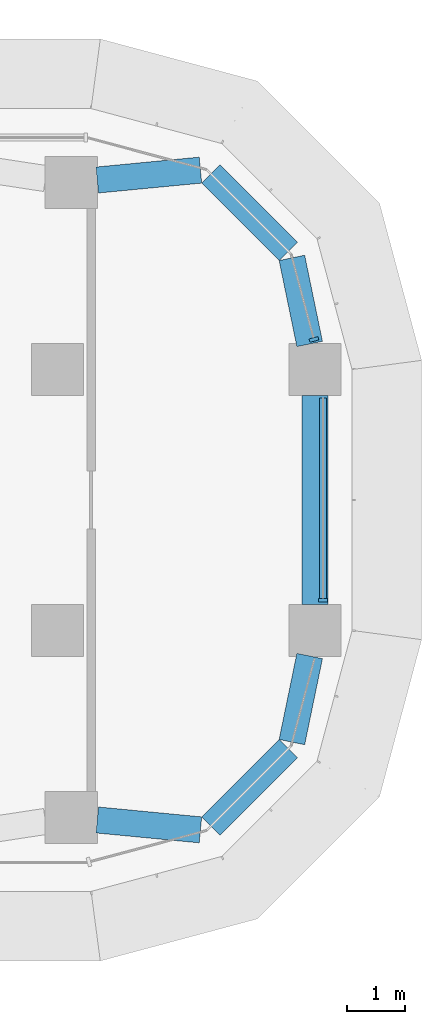
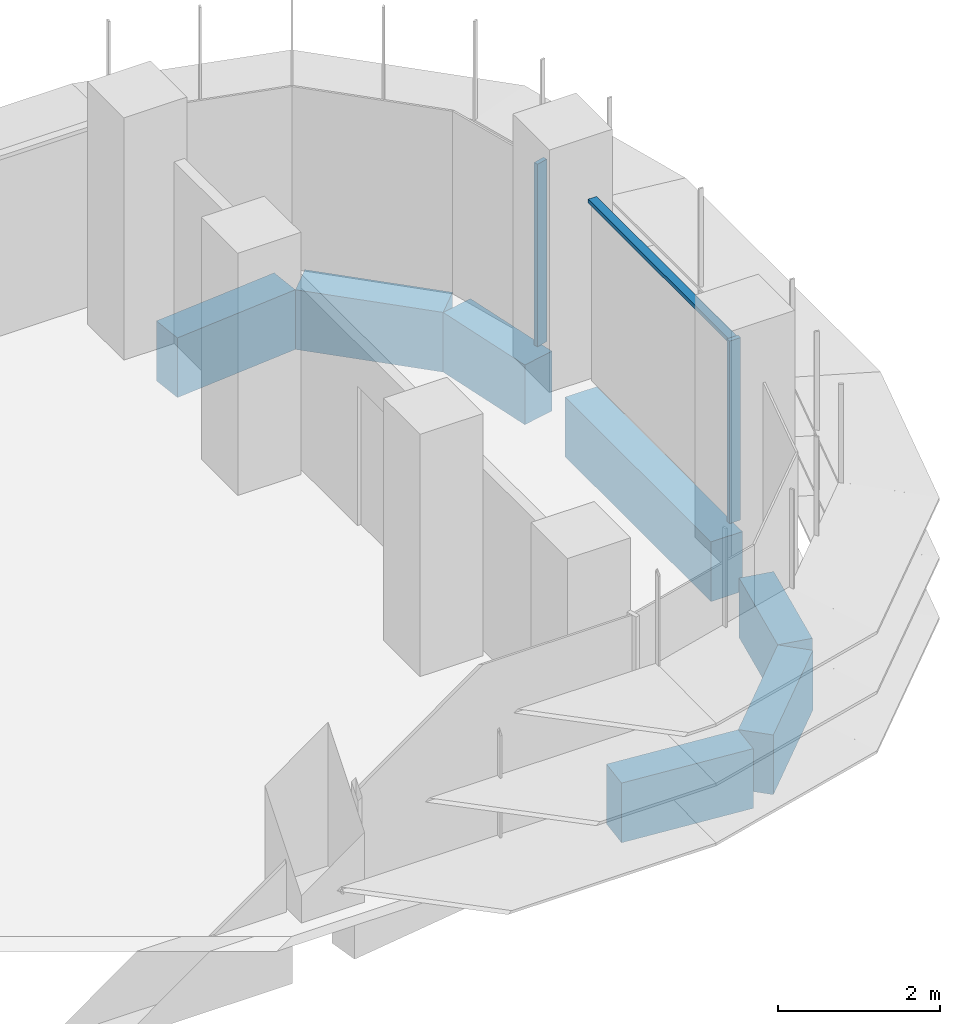
# One storey, part 10 of 22: 7 beams, 3 members, 2 elements without a shape of their own.
"""IFC4 building model written with IfcOpenShell, lengths in metres."""

from ifc_helpers import new_model, si_unit, direction, frame, origin, origin_2d, place, context, subcontext, project, spatial, polyline, rectangle, outline, extrude, source, transform, mapped, material, material_profile, profile_set, type_object, element, aggregate, save


model = new_model("IFC4")

# Units and contexts
model_context = context("Model", 3, precision=1e-05, world=origin(), true_north=direction((0.0, 1.0)))
body_context = subcontext(model_context, "Body", "Model", "MODEL_VIEW")
ifc_project = project(units=[si_unit("LENGTHUNIT", "METRE"), si_unit("AREAUNIT", "SQUARE_METRE"), si_unit("VOLUMEUNIT", "CUBIC_METRE"), si_unit("PLANEANGLEUNIT", "RADIAN"), si_unit("MASSUNIT", "GRAM", prefix="KILO")], contexts=[model_context])

# Site, building, storey
site_placement = place(None, origin())
site = spatial("IfcSite", under=ifc_project, at=site_placement, CompositionType="ELEMENT")
building_placement = place(site_placement, origin())
building = spatial("IfcBuilding", under=site, at=building_placement, Name="Zarbagh Exchange Tower", CompositionType="ELEMENT")
storey_placement = place(building_placement, frame((0.0, 0.0, 98.0)))
storey = spatial("IfcBuildingStorey", under=building, at=storey_placement, Name="L22", CompositionType="ELEMENT", Elevation=98.0)

# Beams
ifc_material_1 = material(Name="Concrete C60/75", Category="concrete")
ifc_material_profile = material_profile(ifc_material_1, rectangle(XDim=0.449951171875, YDim=0.89990234375, at=origin_2d()), Name="RC spandrel beam 450 x 900 C60/75")
ifc_profile_set = profile_set([ifc_material_profile], Name="Concrete C60/75")
beam_type = type_object("IfcBeamType", Name="RC spandrel beam 450 x 900 C60/75", PredefinedType="SPANDREL", material=ifc_profile_set)
beam_1_placement = place(storey_placement, frame((29.35595703125, 5.51806640625, -0.60009765625), z_axis=(0.995433267802, 0.095459988228, 0.0), x_axis=(-0.095459988228, 0.995433267802, 0.0)))
element("IfcBeam", 1, at=beam_1_placement, inside=storey, type_object=beam_type, Name="RC spandrel beam", PredefinedType="SPANDREL", context=body_context, shape_type="SweptSolid", body=[
    extrude(rectangle(XDim=0.449951171875, YDim=0.89990234375, at=origin_2d()), origin(), (0.0, 0.0, 1.0), 1.78759765625),
])
beam_2_placement = place(storey_placement, frame((31.316162109375, 5.623779296875, -0.60009765625), z_axis=(0.707106781187, -0.707106781187, 0.0), x_axis=(0.707106781187, 0.707106781187, 0.0)))
element("IfcBeam", 2, at=beam_2_placement, inside=storey, type_object=beam_type, Name="RC spandrel beam", PredefinedType="SPANDREL", context=body_context, shape_type="SweptSolid", body=[
    extrude(rectangle(XDim=0.449951171875, YDim=0.89990234375, at=origin_2d()), origin(), (0.0, 0.0, 1.0), 1.887939453125),
])
beam_3_placement = place(storey_placement, frame((32.71240234375, 4.17529296875, -0.60009765625), z_axis=(0.202275417995, -0.979328675816, 0.0), x_axis=(0.979328675816, 0.202275417995, 0.0)))
element("IfcBeam", 3, at=beam_3_placement, inside=storey, type_object=beam_type, Name="RC spandrel beam", PredefinedType="SPANDREL", context=body_context, shape_type="SweptSolid", body=[
    extrude(rectangle(XDim=0.449951171875, YDim=0.89990234375, at=origin_2d()), origin(), (0.0, 0.0, 1.0), 1.515869140625),
])
beam_4_placement = place(storey_placement, frame((33.110107421875, 1.800048828125, -0.60009765625), z_axis=(0.0, -1.0, 0.0), x_axis=(1.0, 0.0, 0.0)))
element("IfcBeam", 4, at=beam_4_placement, inside=storey, type_object=beam_type, Name="RC spandrel beam", PredefinedType="SPANDREL", context=body_context, shape_type="SweptSolid", body=[
    extrude(rectangle(XDim=0.449951171875, YDim=0.89990234375, at=origin_2d()), origin(), (0.0, 0.0, 1.0), 3.60009765625),
])
beam_5_placement = place(storey_placement, frame((33.01904296875, -2.690673828125, -0.60009765625), z_axis=(-0.202275417995, -0.979328675816, 0.0), x_axis=(0.979328675816, -0.202275417995, 0.0)))
element("IfcBeam", 5, at=beam_5_placement, inside=storey, type_object=beam_type, Name="RC spandrel beam", PredefinedType="SPANDREL", context=body_context, shape_type="SweptSolid", body=[
    extrude(rectangle(XDim=0.449951171875, YDim=0.89990234375, at=origin_2d()), origin(), (0.0, 0.0, 1.0), 1.515869140625),
])
beam_6_placement = place(storey_placement, frame((32.651123046875, -4.288818359375, -0.60009765625), z_axis=(-0.707106781187, -0.707106781187, 0.0), x_axis=(0.707106781187, -0.707106781187, 0.0)))
element("IfcBeam", 6, at=beam_6_placement, inside=storey, type_object=beam_type, Name="RC spandrel beam", PredefinedType="SPANDREL", context=body_context, shape_type="SweptSolid", body=[
    extrude(rectangle(XDim=0.449951171875, YDim=0.89990234375, at=origin_2d()), origin(), (0.0, 0.0, 1.0), 1.887939453125),
])
beam_7_placement = place(storey_placement, frame((31.135498046875, -5.688720703125, -0.60009765625), z_axis=(-0.995433267802, 0.095459988228, 0.0), x_axis=(-0.095459988228, -0.995433267802, 0.0)))
element("IfcBeam", 7, at=beam_7_placement, inside=storey, type_object=beam_type, Name="RC spandrel beam", PredefinedType="SPANDREL", context=body_context, shape_type="SweptSolid", body=[
    extrude(rectangle(XDim=0.449951171875, YDim=0.89990234375, at=origin_2d()), origin(), (0.0, 0.0, 1.0), 1.78759765625),
])

# Curtain wall, member
ifc_material_2 = material(Name="Anodised aluminium frame and glazing", Category="aluminium")
curtain_wall_type = type_object("IfcCurtainWallType", Name="CWA Ribbon glazing, lower zones", PredefinedType="NOTDEFINED", material=ifc_material_2)
curtain_wall_1_placement = place(storey_placement, origin())
curtain_wall_1 = element("IfcCurtainWall", 8, at=curtain_wall_1_placement, inside=storey, type_object=curtain_wall_type, Name="CWA12 curtain wall", PredefinedType="NOTDEFINED")
ifc_material_3 = material(Name="Anodised aluminium frame", Category="aluminium")
member_type_1 = type_object("IfcMemberType", Name="MUA Mullion, anodised aluminium frame", PredefinedType="MULLION", material=ifc_material_3)
shared_shape_1 = source(origin(), body_context, "Body", "SweptSolid", [
    extrude(outline(polyline([(0.0, -0.080078125), (0.06005859375, -0.080078125), (0.06005859375, 0.080078125), (0.0, 0.080078125), (0.0, -0.080078125)])), origin(), (0.0, 0.0, 1.0), 2.75),
])
placement = place(storey_placement, origin())
member_1 = element("IfcMember", 9, at=placement, type_object=member_type_1, Name="CWA12 mullion 1.1", PredefinedType="MULLION", context=body_context, shape_type="MappedRepresentation", body=[
    mapped(shared_shape_1, transform((33.25, -1.760009765625, 0.0), x_axis=(0.0, 1.0, 0.0), y_axis=(-1.0, 0.0, 0.0), z_axis=(0.0, 0.0, 1.0))),
])

curtain_wall_2_placement = place(storey_placement, origin())
curtain_wall_2 = element("IfcCurtainWall", 10, at=curtain_wall_2_placement, inside=storey, type_object=curtain_wall_type, Name="CWA13 curtain wall", PredefinedType="NOTDEFINED")
member_2 = element("IfcMember", 11, at=placement, type_object=member_type_1, Name="CWA13 mullion 1.1", PredefinedType="MULLION", context=body_context, shape_type="MappedRepresentation", body=[
    mapped(shared_shape_1, transform((33.10107421875, 2.739990234375, 0.0), x_axis=(-0.258824779902, 0.965924289636, 0.0), y_axis=(-0.965924289636, -0.258824779902, 0.0), z_axis=(0.0, 0.0, 1.0))),
])
aggregate(curtain_wall_2, [member_2])

# Member
member_type_2 = type_object("IfcMemberType", Name="TRA Transom, anodised aluminium frame", PredefinedType="USERDEFINED", material=ifc_material_3)
shared_shape_2 = source(origin(), body_context, "Body", "SweptSolid", [
    extrude(outline(polyline([(-0.06005859375, -0.06005859375), (0.0, -0.06005859375), (0.0, 0.06005859375), (-0.06005859375, 0.06005859375), (-0.06005859375, -0.06005859375)])), origin(), (0.0, 0.0, 1.0), 3.4599609375),
])
member_3 = element("IfcMember", 12, at=placement, type_object=member_type_2, Name="CWA12 transom 1.1", ObjectType="TRANSOM", PredefinedType="USERDEFINED", context=body_context, shape_type="MappedRepresentation", body=[
    mapped(shared_shape_2, transform((33.25, -1.699951171875, 2.75), x_axis=(0.0, 0.0, 1.0), y_axis=(1.0, 0.0, 0.0), z_axis=(0.0, 1.0, 0.0))),
])

aggregate(curtain_wall_1, [member_1, member_3])

save(model, "model.ifc")
